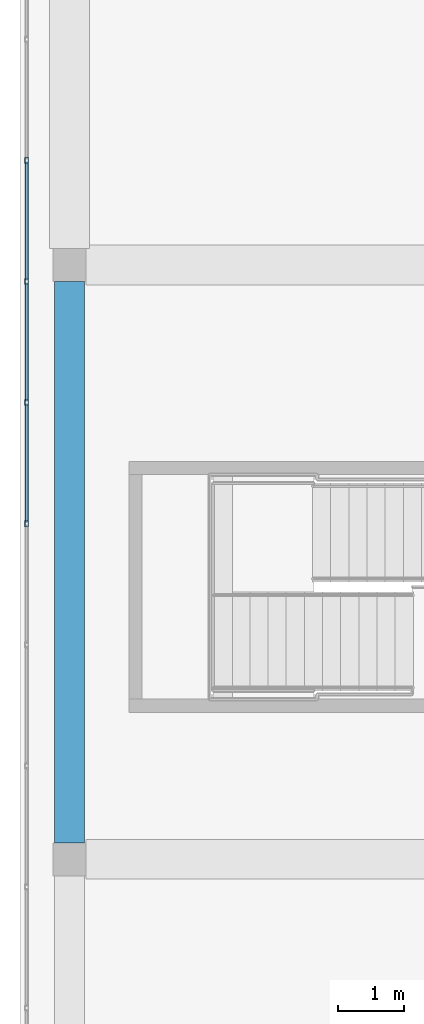
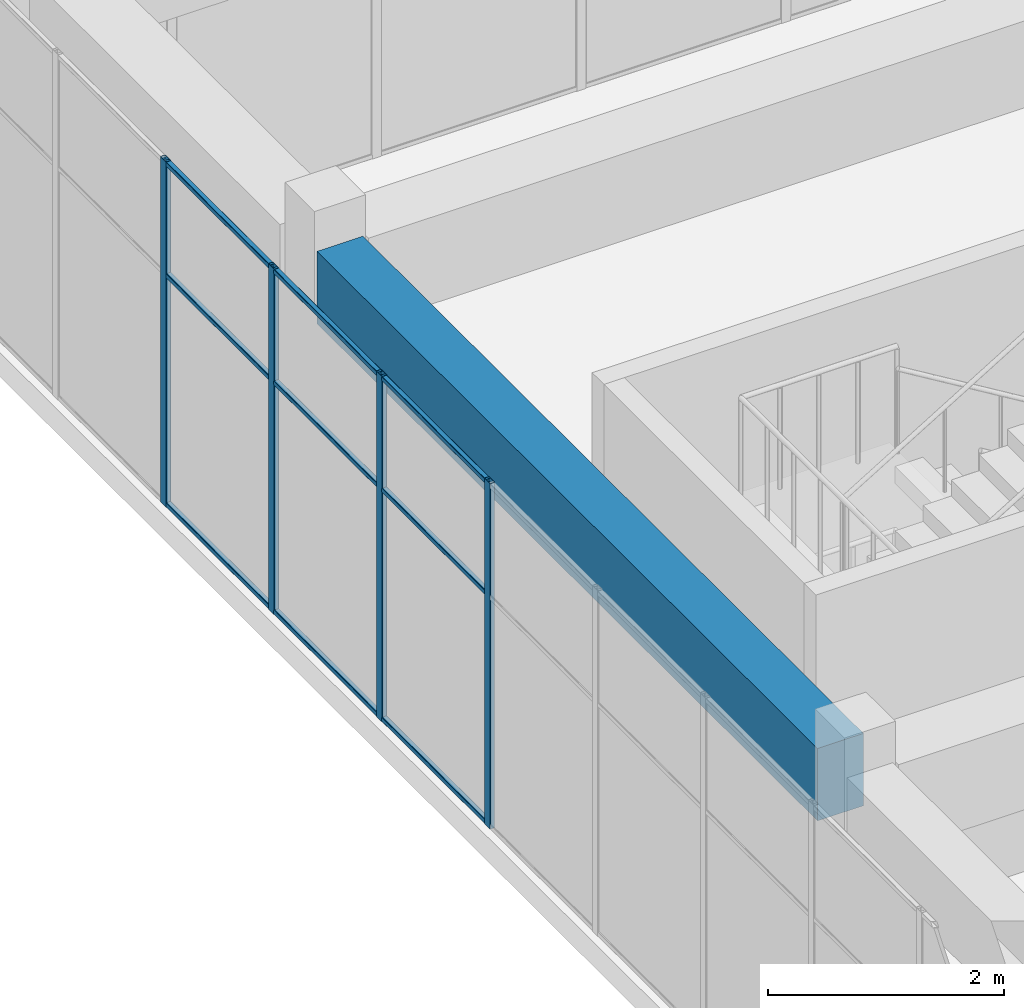
# One storey, part 21 of 36: 13 members, 1 beam, 1 element without a shape of its own.
"""IFC4 building model written with IfcOpenShell, lengths in metres."""

from ifc_helpers import new_model, si_unit, direction, frame, origin, origin_2d, place, context, subcontext, project, spatial, rectangle, hollow_rectangle, extrude, material, layer, layer_set, material_profile, profile_set, type_object, element, aggregate, save


model = new_model("IFC4")

# Units and contexts
model_context = context("Model", 3, precision=1e-05, world=origin(), true_north=direction((0.0, 1.0)))
body_context = subcontext(model_context, "Body", "Model", "MODEL_VIEW")
ifc_project = project(units=[si_unit("LENGTHUNIT", "METRE"), si_unit("AREAUNIT", "SQUARE_METRE"), si_unit("VOLUMEUNIT", "CUBIC_METRE"), si_unit("PLANEANGLEUNIT", "RADIAN"), si_unit("MASSUNIT", "GRAM", prefix="KILO")], contexts=[model_context])

# Site, building, storey
site_placement = place(None, origin())
site = spatial("IfcSite", under=ifc_project, at=site_placement, CompositionType="ELEMENT")
building_placement = place(site_placement, origin())
building = spatial("IfcBuilding", under=site, at=building_placement, Name="Tuart Plaza Theatre", CompositionType="ELEMENT")
storey_placement = place(building_placement, frame((0.0, 0.0, 61.5)))
storey = spatial("IfcBuildingStorey", under=building, at=storey_placement, Name="L15", CompositionType="ELEMENT", Elevation=61.5)

# Beam
ifc_material_1 = material(Name="Concrete N40 (40 MPa)", Category="concrete")
ifc_material_profile_1 = material_profile(ifc_material_1, rectangle(XDim=0.449951171875, YDim=0.75, at=origin_2d()), Name="BEAM 450x750 Concrete N40 (40 MPa)")
ifc_profile_set_1 = profile_set([ifc_material_profile_1], Name="Concrete N40 (40 MPa)")
beam_type = type_object("IfcBeamType", Name="BEAM 450x750 Concrete N40 (40 MPa)", PredefinedType="BEAM", material=ifc_profile_set_1)
beam_placement = place(storey_placement, frame((114.0, 83.25, 3.205078125), z_axis=(0.0, 1.0, 0.0), x_axis=(-1.0, 0.0, 0.0)))
element("IfcBeam", 1, at=beam_placement, inside=storey, type_object=beam_type, Name="RB322", PredefinedType="BEAM", context=body_context, shape_type="SweptSolid", body=[
    extrude(rectangle(XDim=0.449951171875, YDim=0.75, at=origin_2d()), origin(), (0.0, 0.0, 1.0), 8.5),
])

# Curtain wall, members
ifc_material_2 = material(Name="Aluminium and glass", Category="aluminium")
ifc_layer = layer(ifc_material_2, 0.10009765625)
ifc_layer_set = layer_set([ifc_layer], Name="CURTAIN WALL 1800 module")
curtain_wall_type = type_object("IfcCurtainWallType", Name="CURTAIN WALL 1800 module", PredefinedType="NOTDEFINED", material=ifc_layer_set)
curtain_wall_placement = place(storey_placement, origin())
curtain_wall = element("IfcCurtainWall", 2, at=curtain_wall_placement, inside=storey, type_object=curtain_wall_type, Name="CW118", PredefinedType="NOTDEFINED")
ifc_material_3 = material(Name="Aluminium 6063-T5", Category="aluminium")
ifc_material_profile_2 = material_profile(ifc_material_3, hollow_rectangle(XDim=0.050048828125, YDim=0.10009765625, WallThickness=0.00390625, InnerFilletRadius=0.00390625, OuterFilletRadius=0.008056640625, at=origin_2d()), Name="RHS 100x50x4")
ifc_profile_set_2 = profile_set([ifc_material_profile_2], Name="Aluminium 6063-T5")
member_type_1 = type_object("IfcMemberType", Name="MULLION RHS 100x50x4", PredefinedType="MULLION", material=ifc_profile_set_2)
member_1_placement = place(storey_placement, frame((113.35009765625, 93.583251953125, 0.0), z_axis=(0.0, 0.0, 1.0), x_axis=(1.0, 0.0, 0.0)))
member_1 = element("IfcMember", 3, at=member_1_placement, type_object=member_type_1, Name="CW118 mullion 3", PredefinedType="MULLION", context=body_context, shape_type="SweptSolid", body=[
    extrude(hollow_rectangle(XDim=0.050048828125, YDim=0.10009765625, WallThickness=0.00390625, InnerFilletRadius=0.00390625, OuterFilletRadius=0.008056640625, at=origin_2d()), origin(), (0.0, 0.0, 1.0), 3.580078125),
])
member_2_placement = place(storey_placement, frame((113.35009765625, 91.75, 0.0), z_axis=(0.0, 0.0, 1.0), x_axis=(1.0, 0.0, 0.0)))
member_2 = element("IfcMember", 4, at=member_2_placement, type_object=member_type_1, Name="CW118 mullion 4", PredefinedType="MULLION", context=body_context, shape_type="SweptSolid", body=[
    extrude(hollow_rectangle(XDim=0.050048828125, YDim=0.10009765625, WallThickness=0.00390625, InnerFilletRadius=0.00390625, OuterFilletRadius=0.008056640625, at=origin_2d()), origin(), (0.0, 0.0, 1.0), 3.580078125),
])
member_3_placement = place(storey_placement, frame((113.35009765625, 89.916748046875, 0.0), z_axis=(0.0, 0.0, 1.0), x_axis=(1.0, 0.0, 0.0)))
member_3 = element("IfcMember", 5, at=member_3_placement, type_object=member_type_1, Name="CW118 mullion 5", PredefinedType="MULLION", context=body_context, shape_type="SweptSolid", body=[
    extrude(hollow_rectangle(XDim=0.050048828125, YDim=0.10009765625, WallThickness=0.00390625, InnerFilletRadius=0.00390625, OuterFilletRadius=0.008056640625, at=origin_2d()), origin(), (0.0, 0.0, 1.0), 3.580078125),
])
member_4_placement = place(storey_placement, frame((113.35009765625, 88.083251953125, 0.0), z_axis=(0.0, 0.0, 1.0), x_axis=(1.0, 0.0, 0.0)))
member_4 = element("IfcMember", 6, at=member_4_placement, type_object=member_type_1, Name="CW118 mullion 6", PredefinedType="MULLION", context=body_context, shape_type="SweptSolid", body=[
    extrude(hollow_rectangle(XDim=0.050048828125, YDim=0.10009765625, WallThickness=0.00390625, InnerFilletRadius=0.00390625, OuterFilletRadius=0.008056640625, at=origin_2d()), origin(), (0.0, 0.0, 1.0), 3.580078125),
])
ifc_material_4 = material(Name="Aluminium 6063-T5", Category="aluminium")
ifc_material_profile_3 = material_profile(ifc_material_4, hollow_rectangle(XDim=0.050048828125, YDim=0.050048828125, WallThickness=0.00390625, InnerFilletRadius=0.00390625, OuterFilletRadius=0.008056640625, at=origin_2d()), Name="RHS 50x50x4")
ifc_profile_set_3 = profile_set([ifc_material_profile_3], Name="Aluminium 6063-T5")
member_type_2 = type_object("IfcMemberType", Name="TRANSOM RHS 50x50x4", PredefinedType="USERDEFINED", material=ifc_profile_set_3)
member_5_placement = place(storey_placement, frame((113.35009765625, 93.558349609375, 0.02490234375), z_axis=(0.0, -1.0, 0.0), x_axis=(1.0, 0.0, 0.0)))
member_5 = element("IfcMember", 7, at=member_5_placement, type_object=member_type_2, Name="CW118 transom 3.1", ObjectType="TRANSOM", PredefinedType="USERDEFINED", context=body_context, shape_type="SweptSolid", body=[
    extrude(hollow_rectangle(XDim=0.050048828125, YDim=0.050048828125, WallThickness=0.00390625, InnerFilletRadius=0.00390625, OuterFilletRadius=0.008056640625, at=origin_2d()), origin(), (0.0, 0.0, 1.0), 1.783447265625),
])
member_6_placement = place(storey_placement, frame((113.35009765625, 93.558349609375, 2.39990234375), z_axis=(0.0, -1.0, 0.0), x_axis=(1.0, 0.0, 0.0)))
member_6 = element("IfcMember", 8, at=member_6_placement, type_object=member_type_2, Name="CW118 transom 3.2", ObjectType="TRANSOM", PredefinedType="USERDEFINED", context=body_context, shape_type="SweptSolid", body=[
    extrude(hollow_rectangle(XDim=0.050048828125, YDim=0.050048828125, WallThickness=0.00390625, InnerFilletRadius=0.00390625, OuterFilletRadius=0.008056640625, at=origin_2d()), origin(), (0.0, 0.0, 1.0), 1.783447265625),
])
member_7_placement = place(storey_placement, frame((113.35009765625, 93.558349609375, 3.554931640625), z_axis=(0.0, -1.0, 0.0), x_axis=(1.0, 0.0, 0.0)))
member_7 = element("IfcMember", 9, at=member_7_placement, type_object=member_type_2, Name="CW118 transom 3.3", ObjectType="TRANSOM", PredefinedType="USERDEFINED", context=body_context, shape_type="SweptSolid", body=[
    extrude(hollow_rectangle(XDim=0.050048828125, YDim=0.050048828125, WallThickness=0.00390625, InnerFilletRadius=0.00390625, OuterFilletRadius=0.008056640625, at=origin_2d()), origin(), (0.0, 0.0, 1.0), 1.783447265625),
])
member_8_placement = place(storey_placement, frame((113.35009765625, 91.72509765625, 0.02490234375), z_axis=(0.0, -1.0, 0.0), x_axis=(1.0, 0.0, 0.0)))
member_8 = element("IfcMember", 10, at=member_8_placement, type_object=member_type_2, Name="CW118 transom 4.1", ObjectType="TRANSOM", PredefinedType="USERDEFINED", context=body_context, shape_type="SweptSolid", body=[
    extrude(hollow_rectangle(XDim=0.050048828125, YDim=0.050048828125, WallThickness=0.00390625, InnerFilletRadius=0.00390625, OuterFilletRadius=0.008056640625, at=origin_2d()), origin(), (0.0, 0.0, 1.0), 1.783447265625),
])
member_9_placement = place(storey_placement, frame((113.35009765625, 91.72509765625, 2.39990234375), z_axis=(0.0, -1.0, 0.0), x_axis=(1.0, 0.0, 0.0)))
member_9 = element("IfcMember", 11, at=member_9_placement, type_object=member_type_2, Name="CW118 transom 4.2", ObjectType="TRANSOM", PredefinedType="USERDEFINED", context=body_context, shape_type="SweptSolid", body=[
    extrude(hollow_rectangle(XDim=0.050048828125, YDim=0.050048828125, WallThickness=0.00390625, InnerFilletRadius=0.00390625, OuterFilletRadius=0.008056640625, at=origin_2d()), origin(), (0.0, 0.0, 1.0), 1.783447265625),
])
member_10_placement = place(storey_placement, frame((113.35009765625, 91.72509765625, 3.554931640625), z_axis=(0.0, -1.0, 0.0), x_axis=(1.0, 0.0, 0.0)))
member_10 = element("IfcMember", 12, at=member_10_placement, type_object=member_type_2, Name="CW118 transom 4.3", ObjectType="TRANSOM", PredefinedType="USERDEFINED", context=body_context, shape_type="SweptSolid", body=[
    extrude(hollow_rectangle(XDim=0.050048828125, YDim=0.050048828125, WallThickness=0.00390625, InnerFilletRadius=0.00390625, OuterFilletRadius=0.008056640625, at=origin_2d()), origin(), (0.0, 0.0, 1.0), 1.783447265625),
])
member_11_placement = place(storey_placement, frame((113.35009765625, 89.8916015625, 0.02490234375), z_axis=(0.0, -1.0, 0.0), x_axis=(1.0, 0.0, 0.0)))
member_11 = element("IfcMember", 13, at=member_11_placement, type_object=member_type_2, Name="CW118 transom 5.1", ObjectType="TRANSOM", PredefinedType="USERDEFINED", context=body_context, shape_type="SweptSolid", body=[
    extrude(hollow_rectangle(XDim=0.050048828125, YDim=0.050048828125, WallThickness=0.00390625, InnerFilletRadius=0.00390625, OuterFilletRadius=0.008056640625, at=origin_2d()), origin(), (0.0, 0.0, 1.0), 1.783203125),
])
member_12_placement = place(storey_placement, frame((113.35009765625, 89.8916015625, 2.39990234375), z_axis=(0.0, -1.0, 0.0), x_axis=(1.0, 0.0, 0.0)))
member_12 = element("IfcMember", 14, at=member_12_placement, type_object=member_type_2, Name="CW118 transom 5.2", ObjectType="TRANSOM", PredefinedType="USERDEFINED", context=body_context, shape_type="SweptSolid", body=[
    extrude(hollow_rectangle(XDim=0.050048828125, YDim=0.050048828125, WallThickness=0.00390625, InnerFilletRadius=0.00390625, OuterFilletRadius=0.008056640625, at=origin_2d()), origin(), (0.0, 0.0, 1.0), 1.783203125),
])
member_13_placement = place(storey_placement, frame((113.35009765625, 89.8916015625, 3.554931640625), z_axis=(0.0, -1.0, 0.0), x_axis=(1.0, 0.0, 0.0)))
member_13 = element("IfcMember", 15, at=member_13_placement, type_object=member_type_2, Name="CW118 transom 5.3", ObjectType="TRANSOM", PredefinedType="USERDEFINED", context=body_context, shape_type="SweptSolid", body=[
    extrude(hollow_rectangle(XDim=0.050048828125, YDim=0.050048828125, WallThickness=0.00390625, InnerFilletRadius=0.00390625, OuterFilletRadius=0.008056640625, at=origin_2d()), origin(), (0.0, 0.0, 1.0), 1.783203125),
])
aggregate(curtain_wall, [member_1, member_2, member_3, member_4, member_5, member_6, member_7, member_8, member_9, member_10, member_11, member_12, member_13])

save(model, "model.ifc")
